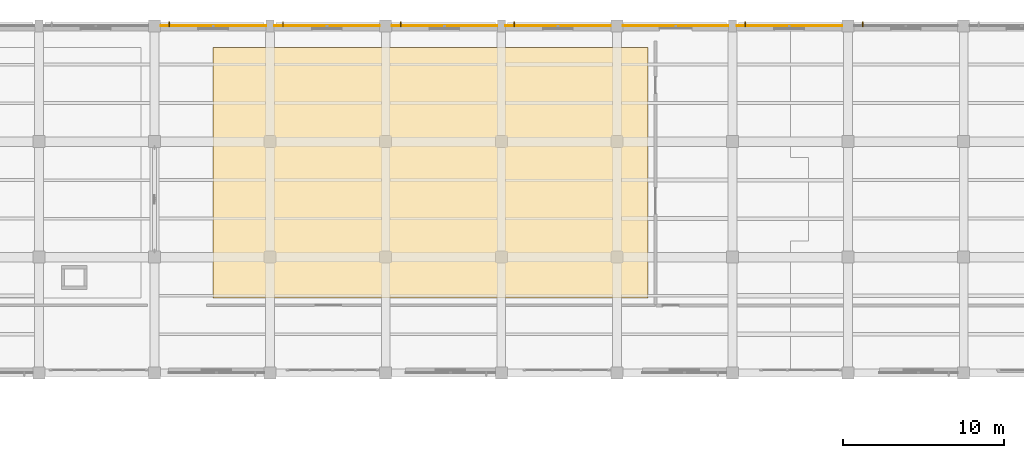
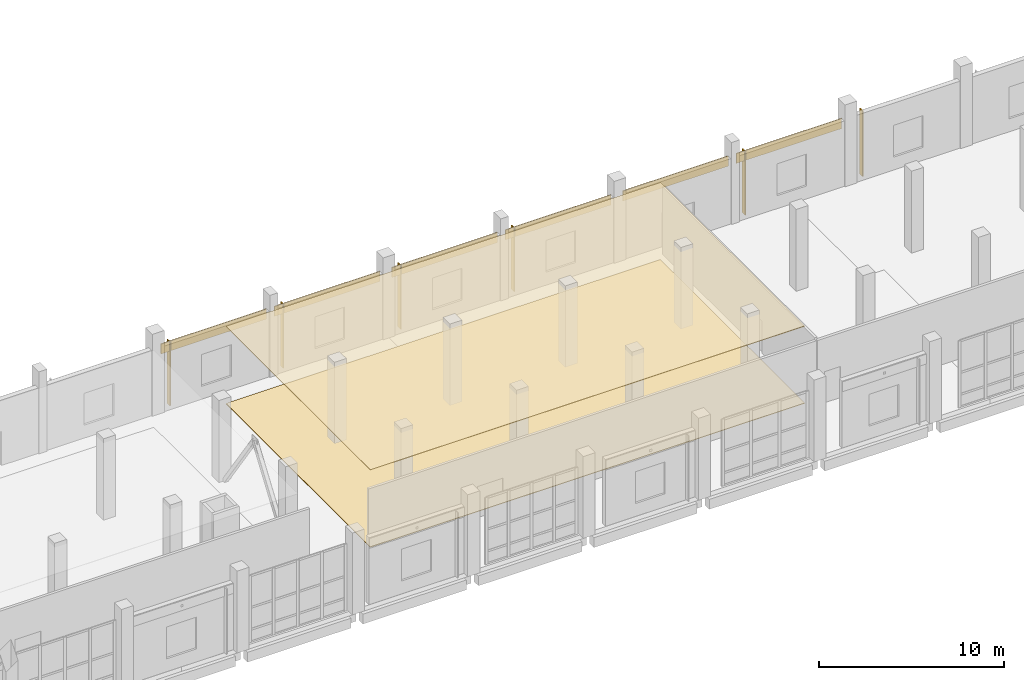
# One storey, part 131 of 137: 8 coverings, 6 shading devices.
"""IFC4 building model written with IfcOpenShell, lengths in metres."""

from ifc_helpers import new_model, si_unit, direction, frame, origin, origin_2d, place, context, subcontext, project, spatial, polyline, rectangle, outline, extrude, material, layer, layer_set, type_object, element, save


model = new_model("IFC4")

# Units and contexts
model_context = context("Model", 3, precision=1e-05, world=origin(), true_north=direction((0.0, 1.0)))
body_context = subcontext(model_context, "Body", "Model", "MODEL_VIEW")
ifc_project = project(units=[si_unit("LENGTHUNIT", "METRE"), si_unit("AREAUNIT", "SQUARE_METRE"), si_unit("VOLUMEUNIT", "CUBIC_METRE"), si_unit("PLANEANGLEUNIT", "RADIAN"), si_unit("MASSUNIT", "GRAM", prefix="KILO")], contexts=[model_context])

# Site, building, storey
site_placement = place(None, origin())
site = spatial("IfcSite", under=ifc_project, at=site_placement, CompositionType="ELEMENT")
building_placement = place(site_placement, origin())
building = spatial("IfcBuilding", under=site, at=building_placement, Name="Kalmorath City Hall", CompositionType="ELEMENT")
storey_placement = place(building_placement, origin())
storey = spatial("IfcBuildingStorey", under=building, at=storey_placement, Name="L00", CompositionType="ELEMENT", Elevation=0.0)

# Shading devices
ifc_material_1 = material(Name="Bronze anodised aluminium", Category="aluminium")
ifc_layer_1 = layer(ifc_material_1, 0.06005859375)
ifc_layer_set_1 = layer_set([ifc_layer_1], Name="Bronze anodised aluminium")
shading_device_type = type_object("IfcShadingDeviceType", Name="Bronze vertical solar fin 320", PredefinedType="USERDEFINED", material=ifc_layer_set_1)
for number, where, z_axis, x_axis, name in (
    (1, (65.72607421875, 115.300048828125, 0.050048828125), (0.0, 0.0, 1.0), (1.0, 0.0, 0.0), "L00 bronze solar fin #35"),
    (2, (72.801025390625, 115.300048828125, 0.050048828125), (0.0, 0.0, 1.0), (1.0, 0.0, 0.0), "L00 bronze solar fin #36"),
    (3, (80.1259765625, 115.300048828125, 0.050048828125), (0.0, 0.0, 1.0), (1.0, 0.0, 0.0), "L00 bronze solar fin #37"),
    (4, (87.200927734375, 115.300048828125, 0.050048828125), (0.0, 0.0, 1.0), (1.0, 0.0, 0.0), "L00 bronze solar fin #38"),
    (5, (101.60107421875, 115.300048828125, 0.050048828125), (0.0, 0.0, 1.0), (1.0, 0.0, 0.0), "L00 bronze solar fin #39"),
):
    element("IfcShadingDevice", number, at=place(storey_placement, frame(where, z_axis=z_axis, x_axis=x_axis)), inside=storey, type_object=shading_device_type, Name=name, ObjectType="FIN", PredefinedType="USERDEFINED", context=body_context, shape_type="SweptSolid", body=[
        extrude(rectangle(XDim=0.06005859375, YDim=0.320068359375, at=origin_2d()), origin(), (0.0, 0.0, 1.0), 4.2109375),
    ])
shading_device_placement = place(storey_placement, frame((108.926025390625, 115.300048828125, 0.050048828125), z_axis=(0.0, 0.0, 1.0), x_axis=(1.0, 0.0, 0.0)))
element("IfcShadingDevice", 6, at=shading_device_placement, inside=storey, type_object=shading_device_type, Name="L00 bronze solar fin #40", ObjectType="FIN", PredefinedType="USERDEFINED", context=body_context, shape_type="SweptSolid", body=[
    extrude(rectangle(XDim=0.06005859375, YDim=0.320068359375, at=origin_2d()), origin(), (0.0, 0.0, 1.0), 4.31103515625),
])

# Coverings
ifc_material_2 = material(Name="Perforated acoustic gypsum ceiling")
ifc_layer_2 = layer(ifc_material_2, 0.0400390625)
ifc_layer_set_2 = layer_set([ifc_layer_2], Name="Perforated acoustic gypsum ceiling")
covering_type_1 = type_object("IfcCoveringType", Name="Perforated acoustic suspended ceiling 40", PredefinedType="CEILING", material=ifc_layer_set_2)
covering_1_placement = place(storey_placement, frame((0.0, 0.0, 5.080078125)))
element("IfcCovering", 7, at=covering_1_placement, inside=storey, type_object=covering_type_1, Name="L00 Committee Room 2 (Transportation) acoustic ceiling", PredefinedType="CEILING", context=body_context, shape_type="SweptSolid", body=[
    extrude(outline(polyline([(68.449951171875, 113.85009765625), (95.550048828125, 113.85009765625), (95.550048828125, 98.25), (68.449951171875, 98.25), (68.449951171875, 113.85009765625)])), origin(), (0.0, 0.0, 1.0), 0.0400390625),
])
ifc_material_3 = material(Name="Polished terrazzo finish")
ifc_layer_3 = layer(ifc_material_3, 0.034912109375)
ifc_layer_set_3 = layer_set([ifc_layer_3], Name="Polished terrazzo finish")
covering_type_2 = type_object("IfcCoveringType", Name="Polished civic terrazzo floor finish 35", PredefinedType="FLOORING", material=ifc_layer_set_3)
covering_2_placement = place(storey_placement, origin())
element("IfcCovering", 8, at=covering_2_placement, inside=storey, type_object=covering_type_2, Name="L00 Committee Room 2 (Transportation) terrazzo flooring", PredefinedType="FLOORING", context=body_context, shape_type="SweptSolid", body=[
    extrude(outline(polyline([(68.449951171875, 113.85009765625), (95.550048828125, 113.85009765625), (95.550048828125, 98.25), (68.449951171875, 98.25), (68.449951171875, 113.85009765625)])), origin(), (0.0, 0.0, 1.0), 0.034912109375),
])
ifc_material_4 = material(Name="Volcanic basalt stone cladding", Category="masonry")
ifc_layer_4 = layer(ifc_material_4, 0.06005859375)
ifc_layer_set_4 = layer_set([ifc_layer_4], Name="Volcanic basalt stone cladding")
covering_type_3 = type_object("IfcCoveringType", Name="Volcanic basalt stone rainscreen cladding", PredefinedType="CLADDING", material=ifc_layer_set_4)
for number, where, z_axis, x_axis, name in (
    (9, (68.46240234375, 115.205078125, 3.635986328125), (0.0, 0.0, 1.0), (1.0, 0.0, 0.0), "L00 basalt spandrel cladding #6"),
    (10, (75.53759765625, 115.205078125, 3.635986328125), (0.0, 0.0, 1.0), (1.0, 0.0, 0.0), "L00 basalt spandrel cladding #7"),
    (11, (82.862548828125, 115.205078125, 3.635986328125), (0.0, 0.0, 1.0), (1.0, 0.0, 0.0), "L00 basalt spandrel cladding #8"),
    (12, (89.9375, 115.205078125, 3.635986328125), (0.0, 0.0, 1.0), (1.0, 0.0, 0.0), "L00 basalt spandrel cladding #9"),
    (13, (97.262451171875, 115.205078125, 3.635986328125), (0.0, 0.0, 1.0), (1.0, 0.0, 0.0), "L00 basalt spandrel cladding #10"),
    (14, (104.33740234375, 115.205078125, 3.635986328125), (0.0, 0.0, 1.0), (1.0, 0.0, 0.0), "L00 basalt spandrel cladding #11"),
):
    element("IfcCovering", number, at=place(storey_placement, frame(where, z_axis=z_axis, x_axis=x_axis)), inside=storey, type_object=covering_type_3, Name=name, PredefinedType="CLADDING", context=body_context, shape_type="SweptSolid", body=[
        extrude(rectangle(XDim=6.572998046875, YDim=0.06005859375, at=origin_2d()), origin(), (0.0, 0.0, 1.0), 0.64990234375),
    ])

save(model, "model.ifc")
